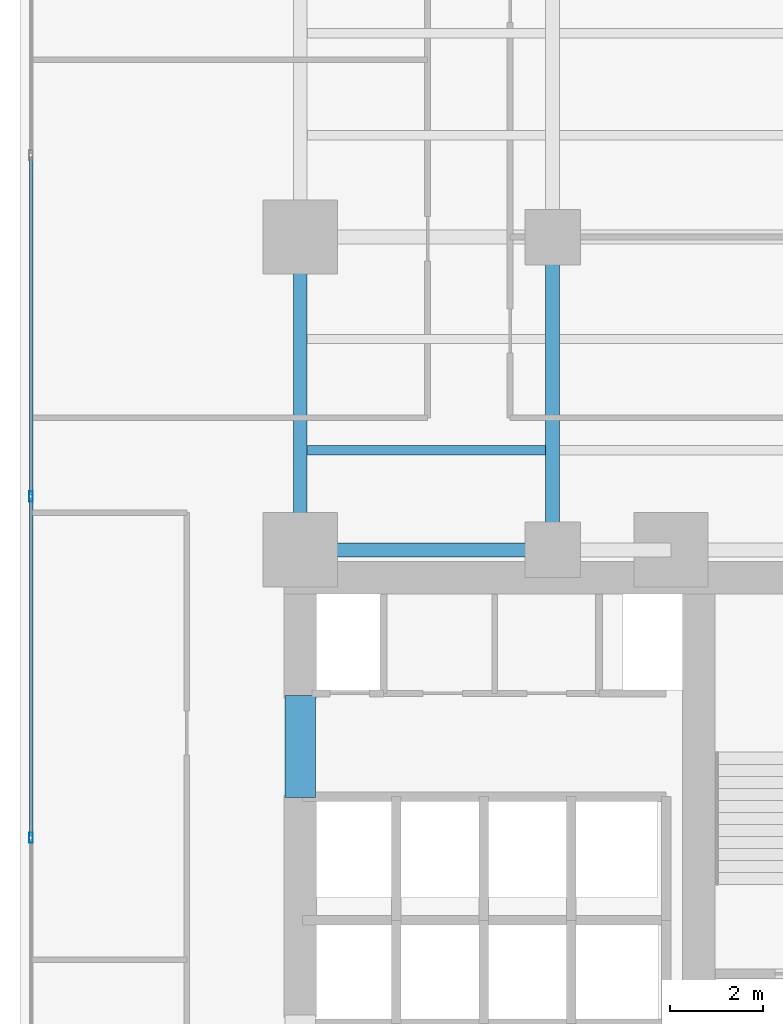
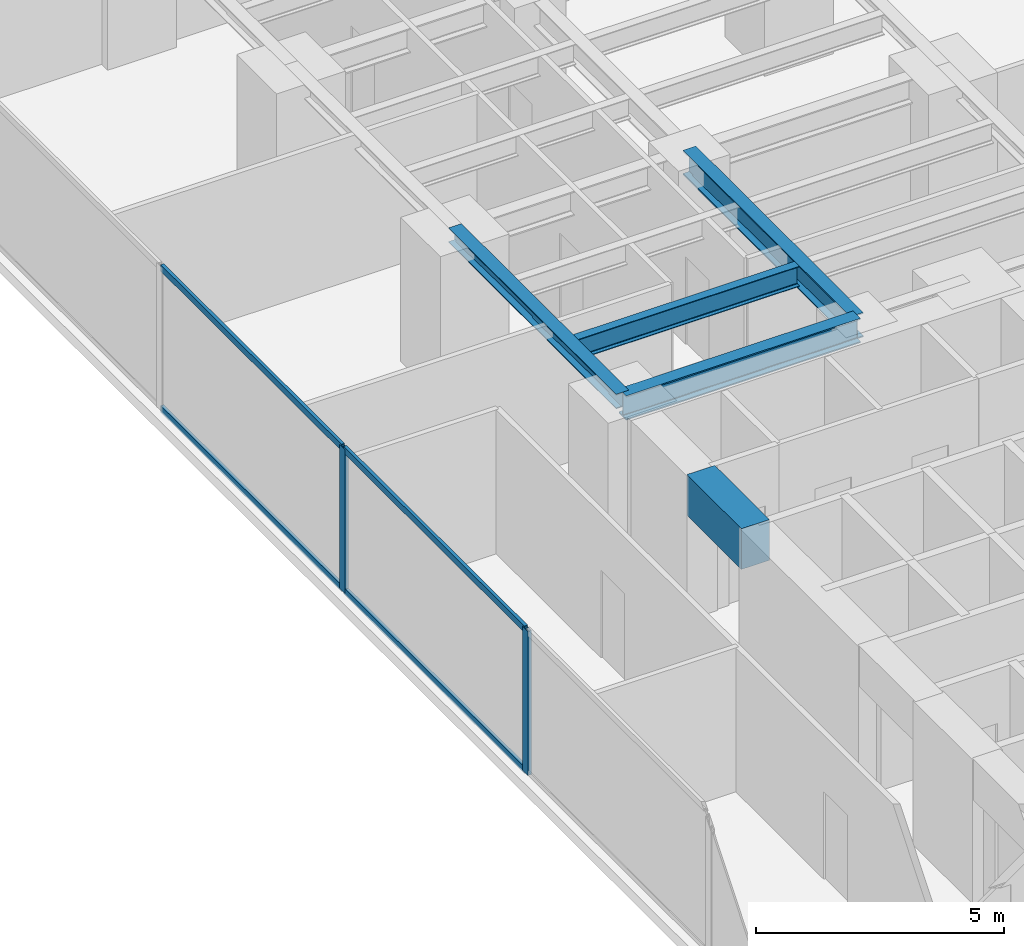
# One storey, part 6 of 29: 6 members, 5 beams, 1 element without a shape of its own.
"""IFC4 building model written with IfcOpenShell, lengths in metres."""

from ifc_helpers import new_model, si_unit, direction, frame, origin, origin_with_axes, origin_2d, place, context, subcontext, project, spatial, rectangle, hollow_rectangle, i_section, extrude, source, transform, mapped, material, layer, layer_set, material_profile, profile_set, type_object, element, aggregate, save


model = new_model("IFC4")

# Units and contexts
model_context = context("Model", 3, precision=1e-05, world=origin(), true_north=direction((0.0, 1.0)))
body_context = subcontext(model_context, "Body", "Model", "MODEL_VIEW")
ifc_project = project(units=[si_unit("LENGTHUNIT", "METRE"), si_unit("AREAUNIT", "SQUARE_METRE"), si_unit("VOLUMEUNIT", "CUBIC_METRE"), si_unit("PLANEANGLEUNIT", "RADIAN"), si_unit("MASSUNIT", "GRAM", prefix="KILO")], contexts=[model_context])

# Site, building, storey
site_placement = place(None, origin())
site = spatial("IfcSite", under=ifc_project, at=site_placement, CompositionType="ELEMENT")
building_placement = place(site_placement, origin())
building = spatial("IfcBuilding", under=site, at=building_placement, Name="Kolvaren Waterfront Exchange", CompositionType="ELEMENT")
storey_placement = place(building_placement, frame((0.0, 0.0, 37.199951171875)))
storey = spatial("IfcBuildingStorey", under=building, at=storey_placement, Name="L09", CompositionType="ELEMENT", Elevation=37.199951171875)

# Beams
ifc_material_1 = material(Name="Steel S355", Category="steel")
ifc_material_profile_1 = material_profile(ifc_material_1, i_section(OverallWidth=0.300048828125, OverallDepth=0.360107421875, WebThickness=0.012451171875, FlangeThickness=0.0224609375, FilletRadius=0.027099609375, at=origin_2d()), Name="HEB360")
ifc_profile_set_1 = profile_set([ifc_material_profile_1], Name="Steel S355")
beam_type_1 = type_object("IfcBeamType", Name="STR-BM-HEB360", PredefinedType="SPANDREL", material=ifc_profile_set_1)
beam_1_placement = place(storey_placement, frame((7.449951171875, 24.449951171875, 3.360107421875), z_axis=(0.0, 1.0, 0.0), x_axis=(-1.0, 0.0, 0.0)))
element("IfcBeam", 1, at=beam_1_placement, inside=storey, type_object=beam_type_1, Name="L09 north-arm edge beam 1", PredefinedType="SPANDREL", context=body_context, shape_type="SweptSolid", body=[
    extrude(i_section(OverallWidth=0.300048828125, OverallDepth=0.360107421875, WebThickness=0.012451171875, FlangeThickness=0.0224609375, FilletRadius=0.027099609375, at=origin_2d()), origin(), (0.0, 0.0, 1.0), 6.75),
])
ifc_material_profile_2 = material_profile(ifc_material_1, i_section(OverallWidth=0.300048828125, OverallDepth=0.60009765625, WebThickness=0.015380859375, FlangeThickness=0.030029296875, FilletRadius=0.027099609375, at=origin_2d()), Name="HEB600")
ifc_profile_set_2 = profile_set([ifc_material_profile_2], Name="Steel S355")
beam_type_2 = type_object("IfcBeamType", Name="STR-BM-HEB600", PredefinedType="BEAM", material=ifc_profile_set_2)
beam_2_placement = place(storey_placement, frame((7.449951171875, 24.449951171875, 3.239990234375), z_axis=(1.0, 0.0, 0.0), x_axis=(0.0, 1.0, 0.0)))
element("IfcBeam", 2, at=beam_2_placement, inside=storey, type_object=beam_type_2, Name="L09 north-arm girder 1A", PredefinedType="BEAM", context=body_context, shape_type="SweptSolid", body=[
    extrude(i_section(OverallWidth=0.300048828125, OverallDepth=0.60009765625, WebThickness=0.015380859375, FlangeThickness=0.030029296875, FilletRadius=0.027099609375, at=origin_2d()), origin(), (0.0, 0.0, 1.0), 5.449951171875),
])
beam_3_placement = place(storey_placement, frame((12.89990234375, 24.449951171875, 3.239990234375), z_axis=(0.0, 1.0, 0.0), x_axis=(-1.0, 0.0, 0.0)))
element("IfcBeam", 3, at=beam_3_placement, inside=storey, type_object=beam_type_2, Name="L09 north-arm edge beam 1", PredefinedType="BEAM", context=body_context, shape_type="SweptSolid", body=[
    extrude(i_section(OverallWidth=0.300048828125, OverallDepth=0.60009765625, WebThickness=0.015380859375, FlangeThickness=0.030029296875, FilletRadius=0.027099609375, at=origin_2d()), origin(), (0.0, 0.0, 1.0), 6.75),
])
ifc_material_profile_3 = material_profile(ifc_material_1, i_section(OverallWidth=0.199951171875, OverallDepth=0.5, WebThickness=0.01025390625, FlangeThickness=0.01611328125, FilletRadius=0.02099609375, at=origin_2d()), Name="IPE500")
ifc_profile_set_3 = profile_set([ifc_material_profile_3], Name="Steel S355")
beam_type_3 = type_object("IfcBeamType", Name="STR-BM-IPE500", PredefinedType="JOIST", material=ifc_profile_set_3)
beam_4_placement = place(storey_placement, frame((7.60205078125, 26.60009765625, 3.2900390625), z_axis=(1.0, 0.0, 0.0), x_axis=(0.0, 1.0, 0.0)))
element("IfcBeam", 4, at=beam_4_placement, inside=storey, type_object=beam_type_3, Name="L09 north-arm composite joist 1A", PredefinedType="JOIST", context=body_context, shape_type="SweptSolid", body=[
    extrude(i_section(OverallWidth=0.199951171875, OverallDepth=0.5, WebThickness=0.01025390625, FlangeThickness=0.01611328125, FilletRadius=0.02099609375, at=origin_2d()), origin(), (0.0, 0.0, 1.0), 5.14599609375),
])
ifc_material_2 = material(Name="Concrete C60/75", Category="concrete")
ifc_material_profile_4 = material_profile(ifc_material_2, rectangle(XDim=0.64990234375, YDim=1.0, at=origin_2d()), Name="RC-CB-1000x650")
ifc_profile_set_4 = profile_set([ifc_material_profile_4], Name="Concrete C60/75")
beam_type_4 = type_object("IfcBeamType", Name="STR-CB-1000", PredefinedType="SPANDREL", material=ifc_profile_set_4)
beam_5_placement = place(storey_placement, frame((7.449951171875, 19.10009765625, 3.0400390625), z_axis=(0.0, 1.0, 0.0), x_axis=(-1.0, 0.0, 0.0)))
element("IfcBeam", 5, at=beam_5_placement, inside=storey, type_object=beam_type_4, Name="L09 core coupling beam 5", PredefinedType="SPANDREL", context=body_context, shape_type="SweptSolid", body=[
    extrude(rectangle(XDim=0.64990234375, YDim=1.0, at=origin_2d()), origin(), (0.0, 0.0, 1.0), 2.199951171875),
])

# Curtain wall, members
ifc_material_3 = material(Name="Anodised aluminium 6063-T6", Category="aluminium")
ifc_layer = layer(ifc_material_3, 0.219970703125, Name="Anodised aluminium 6063-T6")
ifc_layer_set = layer_set([ifc_layer], Name="Anodised aluminium 6063-T6")
curtain_wall_type = type_object("IfcCurtainWallType", Name="ARC-CW-SYS2", PredefinedType="USERDEFINED", material=ifc_layer_set)
curtain_wall_placement = place(storey_placement, origin())
curtain_wall = element("IfcCurtainWall", 6, at=curtain_wall_placement, inside=storey, type_object=curtain_wall_type, Name="L09 stick curtain wall CW2 (CW-L09-W)", ObjectType="STICK CURTAIN WALL", PredefinedType="USERDEFINED")
ifc_material_profile_5 = material_profile(ifc_material_3, hollow_rectangle(XDim=0.074951171875, YDim=0.159912109375, WallThickness=0.00439453125, at=origin_2d()), Name="ALU-TRN-160x75x4.5")
ifc_profile_set_5 = profile_set([ifc_material_profile_5], Name="Anodised aluminium 6063-T6")
member_type_1 = type_object("IfcMemberType", Name="ARC-CWT-160", PredefinedType="USERDEFINED", material=ifc_profile_set_5)
shared_shape_1 = source(origin_with_axes(), body_context, "Body", "SweptSolid", [
    extrude(hollow_rectangle(XDim=0.074951171875, YDim=0.159912109375, WallThickness=0.00439453125, at=origin_2d()), origin(), (0.0, 0.0, 1.0), 7.28662109375),
])
member_1_placement = place(storey_placement, frame((1.639892578125, 18.2734375, 0.03759765625), z_axis=(0.0, 1.0, 0.0), x_axis=(-1.0, 0.0, 0.0)))
member_1 = element("IfcMember", 7, at=member_1_placement, type_object=member_type_1, Name="CW2 transom 3.1", ObjectType="TRANSOM", PredefinedType="USERDEFINED", context=body_context, shape_type="MappedRepresentation", body=[
    mapped(shared_shape_1, transform((0.0, 0.0, 0.0), x_axis=(1.0, 0.0, 0.0), y_axis=(0.0, 1.0, 0.0), z_axis=(0.0, 0.0, 1.0), scale=1.0)),
])
member_2_placement = place(storey_placement, frame((1.639892578125, 18.2734375, 3.50244140625), z_axis=(0.0, 1.0, 0.0), x_axis=(-1.0, 0.0, 0.0)))
member_2 = element("IfcMember", 8, at=member_2_placement, type_object=member_type_1, Name="CW2 transom 3.2", ObjectType="TRANSOM", PredefinedType="USERDEFINED", context=body_context, shape_type="MappedRepresentation", body=[
    mapped(shared_shape_1, transform((0.0, 0.0, 0.0), x_axis=(1.0, 0.0, 0.0), y_axis=(0.0, 1.0, 0.0), z_axis=(0.0, 0.0, 1.0), scale=1.0)),
])
shared_shape_2 = source(origin_with_axes(), body_context, "Body", "SweptSolid", [
    extrude(hollow_rectangle(XDim=0.074951171875, YDim=0.159912109375, WallThickness=0.00439453125, at=origin_2d()), origin(), (0.0, 0.0, 1.0), 7.286865234375),
])
member_3_placement = place(storey_placement, frame((1.639892578125, 25.639892578125, 0.03759765625), z_axis=(0.0, 1.0, 0.0), x_axis=(-1.0, 0.0, 0.0)))
member_3 = element("IfcMember", 9, at=member_3_placement, type_object=member_type_1, Name="CW2 transom 4.1", ObjectType="TRANSOM", PredefinedType="USERDEFINED", context=body_context, shape_type="MappedRepresentation", body=[
    mapped(shared_shape_2, transform((0.0, 0.0, 0.0), x_axis=(1.0, 0.0, 0.0), y_axis=(0.0, 1.0, 0.0), z_axis=(0.0, 0.0, 1.0), scale=1.0)),
])
member_4_placement = place(storey_placement, frame((1.639892578125, 25.639892578125, 3.50244140625), z_axis=(0.0, 1.0, 0.0), x_axis=(-1.0, 0.0, 0.0)))
member_4 = element("IfcMember", 10, at=member_4_placement, type_object=member_type_1, Name="CW2 transom 4.2", ObjectType="TRANSOM", PredefinedType="USERDEFINED", context=body_context, shape_type="MappedRepresentation", body=[
    mapped(shared_shape_2, transform((0.0, 0.0, 0.0), x_axis=(1.0, 0.0, 0.0), y_axis=(0.0, 1.0, 0.0), z_axis=(0.0, 0.0, 1.0), scale=1.0)),
])
ifc_material_profile_6 = material_profile(ifc_material_3, hollow_rectangle(XDim=0.080078125, YDim=0.219970703125, WallThickness=0.0048828125, at=origin_2d()), Name="ALU-MUL-220x80x5")
ifc_profile_set_6 = profile_set([ifc_material_profile_6], Name="Anodised aluminium 6063-T6")
member_type_2 = type_object("IfcMemberType", Name="ARC-CWM-220", PredefinedType="MULLION", material=ifc_profile_set_6)
shared_shape_3 = source(origin_with_axes(), body_context, "Body", "SweptSolid", [
    extrude(hollow_rectangle(XDim=0.080078125, YDim=0.219970703125, WallThickness=0.0048828125, at=origin_2d()), origin(), (0.0, 0.0, 1.0), 3.5400390625),
])
member_5_placement = place(storey_placement, frame((1.639892578125, 18.2333984375, 0.0), z_axis=(0.0, 0.0, 1.0), x_axis=(-1.0, 0.0, 0.0)))
member_5 = element("IfcMember", 11, at=member_5_placement, type_object=member_type_2, Name="CW2 mullion 3", PredefinedType="MULLION", context=body_context, shape_type="MappedRepresentation", body=[
    mapped(shared_shape_3, transform((0.0, 0.0, 0.0), x_axis=(1.0, 0.0, 0.0), y_axis=(0.0, 1.0, 0.0), z_axis=(0.0, 0.0, 1.0), scale=1.0)),
])
member_6_placement = place(storey_placement, frame((1.639892578125, 25.60009765625, 0.0), z_axis=(0.0, 0.0, 1.0), x_axis=(-1.0, 0.0, 0.0)))
member_6 = element("IfcMember", 12, at=member_6_placement, type_object=member_type_2, Name="CW2 mullion 4", PredefinedType="MULLION", context=body_context, shape_type="MappedRepresentation", body=[
    mapped(shared_shape_3, transform((0.0, 0.0, 0.0), x_axis=(1.0, 0.0, 0.0), y_axis=(0.0, 1.0, 0.0), z_axis=(0.0, 0.0, 1.0), scale=1.0)),
])
aggregate(curtain_wall, [member_5, member_6, member_1, member_2, member_3, member_4])

save(model, "model.ifc")
